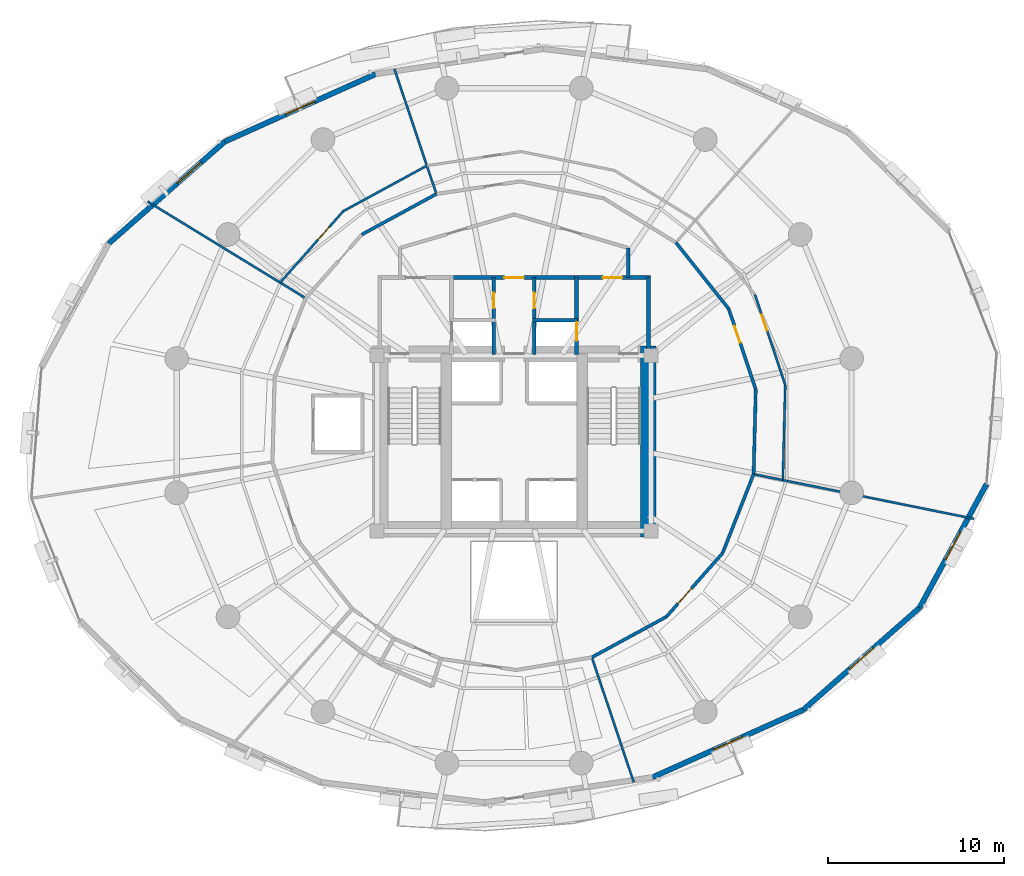
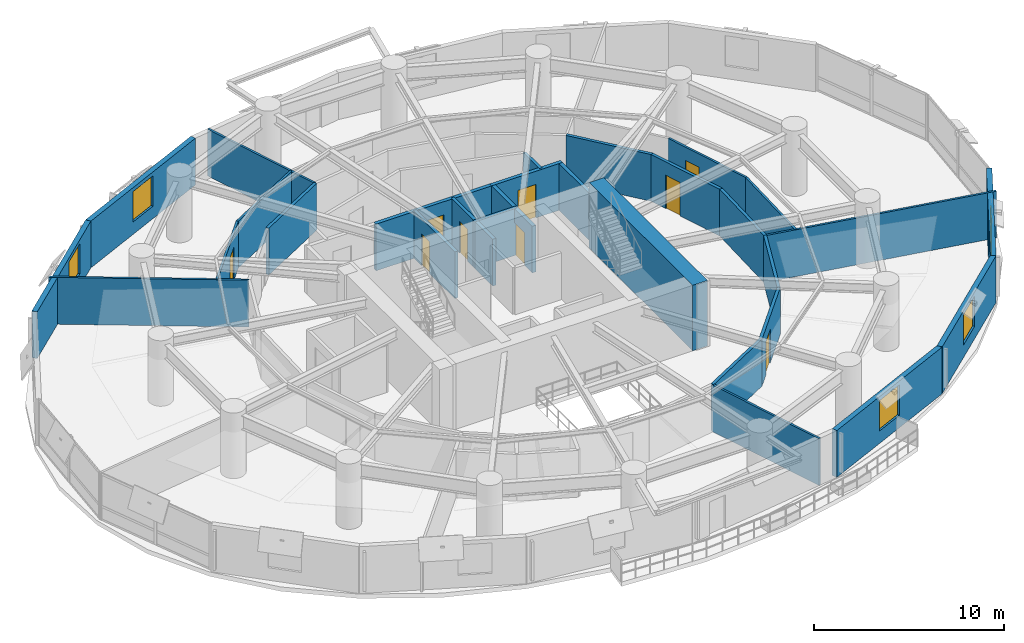
# One storey, part 13 of 17: 29 walls, 9 doors, 5 windows, 14 openings.
"""IFC4 building model written with IfcOpenShell, lengths in metres."""

from ifc_helpers import new_model, si_unit, direction, frame, frame_2d, origin, place, context, subcontext, project, spatial, rectangle, extrude, material, layer, layer_set, type_object, element, fill, save


model = new_model("IFC4")

# Units and contexts
model_context = context("Model", 3, precision=1e-05, world=origin(), true_north=direction((0.0, 1.0)))
body_context = subcontext(model_context, "Body", "Model", "MODEL_VIEW")
ifc_project = project(units=[si_unit("LENGTHUNIT", "METRE"), si_unit("AREAUNIT", "SQUARE_METRE"), si_unit("VOLUMEUNIT", "CUBIC_METRE"), si_unit("PLANEANGLEUNIT", "RADIAN"), si_unit("MASSUNIT", "GRAM", prefix="KILO"), si_unit("THERMODYNAMICTEMPERATUREUNIT", "KELVIN"), si_unit("POWERUNIT", "WATT")], contexts=[model_context])

# Site, building, storey
site_placement = place(None, origin())
site = spatial("IfcSite", under=ifc_project, at=site_placement, CompositionType="ELEMENT")
building_placement = place(site_placement, origin())
building = spatial("IfcBuilding", under=site, at=building_placement, Name="Ocrelia Relay Tower", CompositionType="ELEMENT")
storey_placement = place(building_placement, frame((0.0, 0.0, 67.800048828125)))
storey = spatial("IfcBuildingStorey", under=building, at=storey_placement, Name="L15", CompositionType="ELEMENT", Elevation=67.800048828125)

# Walls
ifc_material_1 = material(Name="Concrete C70/85", Category="concrete")
ifc_layer_1 = layer(ifc_material_1, 0.89990234375, Name="Concrete C70/85")
ifc_layer_set_1 = layer_set([ifc_layer_1], Name="Concrete C70/85")
wall_type_1 = type_object("IfcWallType", Name="CW-CORE-900", PredefinedType="SHEAR", material=ifc_layer_set_1)
wall_1_placement = place(storey_placement, frame((41.637939453125, 19.662109375, 0.0), z_axis=(0.0, 0.0, 1.0), x_axis=(0.0, 1.0, 0.0)))
element("IfcWall", 1, at=wall_1_placement, inside=storey, type_object=wall_type_1, Name="L15 Core Shear Wall E", PredefinedType="SHEAR", context=body_context, shape_type="SweptSolid", body=[
    extrude(rectangle(XDim=10.8759765625, YDim=0.89990234375, at=frame_2d((5.43798828125, 0.0))), origin(), (0.0, 0.0, 1.0), 4.199951171875),
])
ifc_material_2 = material(Name="Gypsum Fireboard Partition EI60", Category="gypsum")
ifc_layer_2 = layer(ifc_material_2, 0.179931640625, Name="Gypsum Fireboard Partition EI60")
ifc_layer_set_2 = layer_set([ifc_layer_2], Name="Gypsum Fireboard Partition EI60")
wall_type_2 = type_object("IfcWallType", Name="W-CORR-EI60-180", PredefinedType="PARTITIONING", material=ifc_layer_set_2)
wall_2_placement = place(storey_placement, frame((40.5, 36.122802734375, 0.0), z_axis=(0.0, 0.0, 1.0), x_axis=(0.0, -1.0, 0.0)))
element("IfcWall", 2, at=wall_2_placement, inside=storey, type_object=wall_type_2, Name="L15 Smoke Lobby East Return", PredefinedType="PARTITIONING", context=body_context, shape_type="SweptSolid", body=[
    extrude(rectangle(XDim=1.69287109375, YDim=0.179931640625, at=frame_2d((0.846435546875, 0.0))), origin(), (0.0, 0.0, 1.0), 3.0),
])
wall_3_placement = place(storey_placement, frame((38.428466796875, 12.80322265625, 0.0), z_axis=(0.0, 0.0, 1.0), x_axis=(0.878385338365, 0.477953133001, 0.0)))
element("IfcWall", 3, at=wall_3_placement, inside=storey, type_object=wall_type_2, Name="L15 Colocation Data Hall A Corridor Partition 1", PredefinedType="PARTITIONING", context=body_context, shape_type="SweptSolid", body=[
    extrude(rectangle(XDim=4.834228515625, YDim=0.179931640625, at=frame_2d((2.4169921875, 0.0))), origin(), (0.0, 0.0, 1.0), 3.0),
])

# Wall, opening, door
wall_4_placement = place(storey_placement, frame((42.6748046875, 15.11376953125, 0.0), z_axis=(0.0, 0.0, 1.0), x_axis=(0.661965641577, 0.74953418159, 0.0)))
wall_4 = element("IfcWall", 4, at=wall_4_placement, inside=storey, type_object=wall_type_2, Name="L15 Colocation Data Hall A Corridor Partition 2", PredefinedType="PARTITIONING", context=body_context, shape_type="SweptSolid", body=[
    extrude(rectangle(XDim=4.83447265625, YDim=0.179931640625, at=frame_2d((2.417236328125, 0.0))), origin(), (0.0, 0.0, 1.0), 3.0),
])
opening_1_placement = place(wall_4_placement, frame((0.99609375, 0.0, 0.0)))
opening_1 = element("IfcOpeningElement", 5, at=opening_1_placement, cuts=wall_4, Name="Opening D-RM115", PredefinedType="OPENING", context=body_context, shape_type="SweptSolid", body=[
    extrude(rectangle(XDim=1.14990234375, YDim=2.14990234375, at=frame_2d((0.574951171875, 1.074951171875))), frame((0.0, 0.10009765625, 0.0), z_axis=(0.0, -1.0, 0.0), x_axis=(1.0, 0.0, 0.0)), (0.0, 0.0, 1.0), 0.199951171875),
])
ifc_material_3 = material(Name="Wide acoustic oak veneer fire door", Category="wood")
door_type_1 = type_object("IfcDoorType", Name="DR-ROOM-1150", OperationType="NOTDEFINED", PredefinedType="DOOR", material=ifc_material_3)
door_1_placement = place(opening_1_placement, origin())
door_1 = element("IfcDoor", 6, at=door_1_placement, inside=storey, type_object=door_type_1, Name="L15 Colocation Data Hall A Entrance Door", OperationType="SINGLE_SWING_LEFT", OverallHeight=2.14990234375, OverallWidth=1.14990234375, PredefinedType="DOOR", context=body_context, shape_type="SweptSolid", body=[
    extrude(rectangle(XDim=1.14990234375, YDim=2.14990234375, at=frame_2d((0.574951171875, 1.074951171875))), frame((0.0, 0.02490234375, 0.0), z_axis=(0.0, -1.0, 0.0), x_axis=(1.0, 0.0, 0.0)), (0.0, 0.0, 1.0), 0.050048828125),
])
fill(opening_1, door_1)

# Walls
wall_5_placement = place(storey_placement, frame((45.875, 18.7373046875, 0.0), z_axis=(0.0, 0.0, 1.0), x_axis=(0.365724243793, 0.930723255056, 0.0)))
element("IfcWall", 7, at=wall_5_placement, inside=storey, type_object=wall_type_2, Name="L15 Colocation Data Hall A Corridor Partition 3", PredefinedType="PARTITIONING", context=body_context, shape_type="SweptSolid", body=[
    extrude(rectangle(XDim=4.83447265625, YDim=0.179931640625, at=frame_2d((2.417236328125, 0.0))), origin(), (0.0, 0.0, 1.0), 3.0),
])
wall_6_placement = place(storey_placement, frame((47.64306640625, 23.23681640625, 0.0), z_axis=(0.0, 0.0, 1.0), x_axis=(0.025301319276, 0.99967987038, 0.0)))
element("IfcWall", 8, at=wall_6_placement, inside=storey, type_object=wall_type_2, Name="L15 Hardware Testing Laboratory Corridor Partition 1", PredefinedType="PARTITIONING", context=body_context, shape_type="SweptSolid", body=[
    extrude(rectangle(XDim=4.834228515625, YDim=0.179931640625, at=frame_2d((2.4169921875, 0.0))), origin(), (0.0, 0.0, 1.0), 3.0),
])

# Wall, opening, door
wall_7_placement = place(storey_placement, frame((47.765380859375, 28.069580078125, 0.0), z_axis=(0.0, 0.0, 1.0), x_axis=(-0.31816640529, 0.948034882557, 0.0)))
wall_7 = element("IfcWall", 9, at=wall_7_placement, inside=storey, type_object=wall_type_2, Name="L15 Hardware Testing Laboratory Corridor Partition 2", PredefinedType="PARTITIONING", context=body_context, shape_type="SweptSolid", body=[
    extrude(rectangle(XDim=4.834228515625, YDim=0.179931640625, at=frame_2d((2.4169921875, 0.0))), origin(), (0.0, 0.0, 1.0), 3.0),
])
opening_2_placement = place(wall_7_placement, frame((2.80078125, 0.0, 0.0)))
opening_2 = element("IfcOpeningElement", 10, at=opening_2_placement, cuts=wall_7, Name="Opening D-RM100", PredefinedType="OPENING", context=body_context, shape_type="SweptSolid", body=[
    extrude(rectangle(XDim=1.0, YDim=2.14990234375, at=frame_2d((0.5, 1.074951171875))), frame((0.0, 0.10009765625, 0.0), z_axis=(0.0, -1.0, 0.0), x_axis=(1.0, 0.0, 0.0)), (0.0, 0.0, 1.0), 0.199951171875),
])
ifc_material_4 = material(Name="Acoustic oak veneer fire door", Category="wood")
door_type_2 = type_object("IfcDoorType", Name="DR-ROOM-FD60-1000", OperationType="NOTDEFINED", PredefinedType="DOOR", material=ifc_material_4)
door_2_placement = place(opening_2_placement, origin())
door_2 = element("IfcDoor", 11, at=door_2_placement, inside=storey, type_object=door_type_2, Name="L15 Hardware Testing Laboratory Entrance Door", OperationType="SINGLE_SWING_RIGHT", OverallHeight=2.14990234375, OverallWidth=1.0, PredefinedType="DOOR", context=body_context, shape_type="SweptSolid", body=[
    extrude(rectangle(XDim=1.0, YDim=2.14990234375, at=frame_2d((0.5, 1.074951171875))), frame((0.0, 0.02490234375, 0.0), z_axis=(0.0, -1.0, 0.0), x_axis=(1.0, 0.0, 0.0)), (0.0, 0.0, 1.0), 0.050048828125),
])
fill(opening_2, door_2)

# Walls
wall_8_placement = place(storey_placement, frame((46.227294921875, 32.652587890625, 0.0), z_axis=(0.0, 0.0, 1.0), x_axis=(-0.623166544039, 0.782089162685, 0.0)))
element("IfcWall", 12, at=wall_8_placement, inside=storey, type_object=wall_type_2, Name="L15 Hardware Testing Laboratory Corridor Partition 3", PredefinedType="PARTITIONING", context=body_context, shape_type="SweptSolid", body=[
    extrude(rectangle(XDim=4.83447265625, YDim=0.179931640625, at=frame_2d((2.417236328125, 0.0))), origin(), (0.0, 0.0, 1.0), 3.0),
])
wall_9_placement = place(storey_placement, frame((29.571533203125, 39.19677734375, 0.0), z_axis=(0.0, 0.0, 1.0), x_axis=(-0.878385338365, -0.477953133001, 0.0)))
element("IfcWall", 13, at=wall_9_placement, inside=storey, type_object=wall_type_2, Name="L15 Systems Office C Corridor Partition 1", PredefinedType="PARTITIONING", context=body_context, shape_type="SweptSolid", body=[
    extrude(rectangle(XDim=4.834228515625, YDim=0.179931640625, at=frame_2d((2.4169921875, 0.0))), origin(), (0.0, 0.0, 1.0), 3.0),
])

# Wall, opening, window
ifc_material_5 = material(Name="Precast concrete C40/50 with oxide terracotta", Category="masonry")
ifc_layer_3 = layer(ifc_material_5, 0.300048828125, Name="Precast concrete C40/50 with oxide terracotta")
ifc_layer_set_3 = layer_set([ifc_layer_3], Name="Precast concrete C40/50 with oxide terracotta")
wall_type_3 = type_object("IfcWallType", Name="W-EXT-TERR-300", PredefinedType="SOLIDWALL", material=ifc_layer_set_3)
wall_10_placement = place(storey_placement, frame((26.107666015625, 46.025634765625, 0.0), z_axis=(0.0, 0.0, 1.0), x_axis=(-0.912605050972, -0.408842293484, 0.0)))
wall_10 = element("IfcWall", 14, at=wall_10_placement, inside=storey, type_object=wall_type_3, Name="L15 Oxide Terracotta Facade Wall 06", PredefinedType="SOLIDWALL", context=body_context, shape_type="SweptSolid", body=[
    extrude(rectangle(XDim=9.4189453125, YDim=0.300048828125, at=frame_2d((4.70947265625, 0.0))), origin(), (0.0, 0.0, 1.0), 3.0),
])
opening_3_placement = place(wall_10_placement, frame((3.80908203125, 0.0, 0.800048828125)))
opening_3 = element("IfcOpeningElement", 15, at=opening_3_placement, cuts=wall_10, Name="Opening W-02", PredefinedType="OPENING", context=body_context, shape_type="SweptSolid", body=[
    extrude(rectangle(XDim=1.800048828125, YDim=1.949951171875, at=frame_2d((0.89990234375, 0.97509765625))), frame((0.0, 0.16015625, 0.0), z_axis=(0.0, -1.0, 0.0), x_axis=(1.0, 0.0, 0.0)), (0.0, 0.0, 1.0), 0.320068359375),
])
ifc_material_6 = material(Name="Clear double-glazed low-E glass", Category="glass")
window_type = type_object("IfcWindowType", Name="WIN-Z1-1800x2100", PartitioningType="DOUBLE_PANEL_VERTICAL", PredefinedType="WINDOW", material=ifc_material_6)
window_1_placement = place(opening_3_placement, origin())
window_1 = element("IfcWindow", 16, at=window_1_placement, inside=storey, type_object=window_type, Name="L15 Facade Module Window 06", OverallHeight=1.949951171875, OverallWidth=1.800048828125, PartitioningType="SINGLE_PANEL", PredefinedType="WINDOW", context=body_context, shape_type="SweptSolid", body=[
    extrude(rectangle(XDim=1.800048828125, YDim=1.949951171875, at=frame_2d((0.89990234375, 0.97509765625))), frame((0.0, 0.030029296875, 0.0), z_axis=(0.0, -1.0, 0.0), x_axis=(1.0, 0.0, 0.0)), (0.0, 0.0, 1.0), 0.06005859375),
])
fill(opening_3, window_1)

wall_11_placement = place(storey_placement, frame((17.511962890625, 42.1748046875, 0.0), z_axis=(0.0, 0.0, 1.0), x_axis=(-0.751409333496, -0.659836353603, 0.0)))
wall_11 = element("IfcWall", 17, at=wall_11_placement, inside=storey, type_object=wall_type_3, Name="L15 Oxide Terracotta Facade Wall 07", PredefinedType="SOLIDWALL", context=body_context, shape_type="SweptSolid", body=[
    extrude(rectangle(XDim=8.792724609375, YDim=0.300048828125, at=frame_2d((4.396484375, 0.0))), origin(), (0.0, 0.0, 1.0), 3.0),
])
opening_4_placement = place(wall_11_placement, frame((1.7900390625, 0.0, 0.800048828125)))
opening_4 = element("IfcOpeningElement", 18, at=opening_4_placement, cuts=wall_11, Name="Opening W-02", PredefinedType="OPENING", context=body_context, shape_type="SweptSolid", body=[
    extrude(rectangle(XDim=1.800048828125, YDim=1.949951171875, at=frame_2d((0.89990234375, 0.97509765625))), frame((0.0, 0.16015625, 0.0), z_axis=(0.0, -1.0, 0.0), x_axis=(1.0, 0.0, 0.0)), (0.0, 0.0, 1.0), 0.320068359375),
])
window_2_placement = place(opening_4_placement, origin())
window_2 = element("IfcWindow", 19, at=window_2_placement, inside=storey, type_object=window_type, Name="L15 Facade Module Window 07", OverallHeight=1.949951171875, OverallWidth=1.800048828125, PartitioningType="SINGLE_PANEL", PredefinedType="WINDOW", context=body_context, shape_type="SweptSolid", body=[
    extrude(rectangle(XDim=1.800048828125, YDim=1.949951171875, at=frame_2d((0.89990234375, 0.97509765625))), frame((0.0, 0.030029296875, 0.0), z_axis=(0.0, -1.0, 0.0), x_axis=(1.0, 0.0, 0.0)), (0.0, 0.0, 1.0), 0.06005859375),
])
fill(opening_4, window_2)

wall_12_placement = place(storey_placement, frame((41.892333984375, 5.974365234375, 0.0), z_axis=(0.0, 0.0, 1.0), x_axis=(0.912605050972, 0.408842293484, 0.0)))
wall_12 = element("IfcWall", 20, at=wall_12_placement, inside=storey, type_object=wall_type_3, Name="L15 Oxide Terracotta Facade Wall 15", PredefinedType="SOLIDWALL", context=body_context, shape_type="SweptSolid", body=[
    extrude(rectangle(XDim=9.4189453125, YDim=0.300048828125, at=frame_2d((4.70947265625, 0.0))), origin(), (0.0, 0.0, 1.0), 3.0),
])
opening_5_placement = place(wall_12_placement, frame((3.80908203125, 0.0, 0.800048828125)))
opening_5 = element("IfcOpeningElement", 21, at=opening_5_placement, cuts=wall_12, Name="Opening W-02", PredefinedType="OPENING", context=body_context, shape_type="SweptSolid", body=[
    extrude(rectangle(XDim=1.800048828125, YDim=1.949951171875, at=frame_2d((0.89990234375, 0.97509765625))), frame((0.0, 0.16015625, 0.0), z_axis=(0.0, -1.0, 0.0), x_axis=(1.0, 0.0, 0.0)), (0.0, 0.0, 1.0), 0.320068359375),
])
window_3_placement = place(opening_5_placement, origin())
window_3 = element("IfcWindow", 22, at=window_3_placement, inside=storey, type_object=window_type, Name="L15 Facade Module Window 15", OverallHeight=1.949951171875, OverallWidth=1.800048828125, PartitioningType="SINGLE_PANEL", PredefinedType="WINDOW", context=body_context, shape_type="SweptSolid", body=[
    extrude(rectangle(XDim=1.800048828125, YDim=1.949951171875, at=frame_2d((0.89990234375, 0.97509765625))), frame((0.0, 0.030029296875, 0.0), z_axis=(0.0, -1.0, 0.0), x_axis=(1.0, 0.0, 0.0)), (0.0, 0.0, 1.0), 0.06005859375),
])
fill(opening_5, window_3)

wall_13_placement = place(storey_placement, frame((50.488037109375, 9.8251953125, 0.0), z_axis=(0.0, 0.0, 1.0), x_axis=(0.751409333496, 0.659836353603, 0.0)))
wall_13 = element("IfcWall", 23, at=wall_13_placement, inside=storey, type_object=wall_type_3, Name="L15 Oxide Terracotta Facade Wall 16", PredefinedType="SOLIDWALL", context=body_context, shape_type="SweptSolid", body=[
    extrude(rectangle(XDim=8.792724609375, YDim=0.300048828125, at=frame_2d((4.396484375, 0.0))), origin(), (0.0, 0.0, 1.0), 3.0),
])
opening_6_placement = place(wall_13_placement, frame((3.49609375, 0.0, 0.800048828125)))
opening_6 = element("IfcOpeningElement", 24, at=opening_6_placement, cuts=wall_13, Name="Opening W-02", PredefinedType="OPENING", context=body_context, shape_type="SweptSolid", body=[
    extrude(rectangle(XDim=1.800048828125, YDim=1.949951171875, at=frame_2d((0.89990234375, 0.97509765625))), frame((0.0, 0.16015625, 0.0), z_axis=(0.0, -1.0, 0.0), x_axis=(1.0, 0.0, 0.0)), (0.0, 0.0, 1.0), 0.320068359375),
])
window_4_placement = place(opening_6_placement, origin())
window_4 = element("IfcWindow", 25, at=window_4_placement, inside=storey, type_object=window_type, Name="L15 Facade Module Window 16", OverallHeight=1.949951171875, OverallWidth=1.800048828125, PartitioningType="SINGLE_PANEL", PredefinedType="WINDOW", context=body_context, shape_type="SweptSolid", body=[
    extrude(rectangle(XDim=1.800048828125, YDim=1.949951171875, at=frame_2d((0.89990234375, 0.97509765625))), frame((0.0, 0.030029296875, 0.0), z_axis=(0.0, -1.0, 0.0), x_axis=(1.0, 0.0, 0.0)), (0.0, 0.0, 1.0), 0.06005859375),
])
fill(opening_6, window_4)

wall_14_placement = place(storey_placement, frame((57.094970703125, 15.626953125, 0.0), z_axis=(0.0, 0.0, 1.0), x_axis=(0.476385116332, 0.879236726336, 0.0)))
wall_14 = element("IfcWall", 26, at=wall_14_placement, inside=storey, type_object=wall_type_3, Name="L15 Oxide Terracotta Facade Wall 17", PredefinedType="SOLIDWALL", context=body_context, shape_type="SweptSolid", body=[
    extrude(rectangle(XDim=8.021484375, YDim=0.300048828125, at=frame_2d((4.0107421875, 0.0))), origin(), (0.0, 0.0, 1.0), 3.0),
])
opening_7_placement = place(wall_14_placement, frame((3.111083984375, 0.0, 0.800048828125)))
opening_7 = element("IfcOpeningElement", 27, at=opening_7_placement, cuts=wall_14, Name="Opening W-02", PredefinedType="OPENING", context=body_context, shape_type="SweptSolid", body=[
    extrude(rectangle(XDim=1.800048828125, YDim=1.949951171875, at=frame_2d((0.89990234375, 0.97509765625))), frame((0.0, 0.16015625, 0.0), z_axis=(0.0, -1.0, 0.0), x_axis=(1.0, 0.0, 0.0)), (0.0, 0.0, 1.0), 0.320068359375),
])
window_5_placement = place(opening_7_placement, origin())
window_5 = element("IfcWindow", 28, at=window_5_placement, inside=storey, type_object=window_type, Name="L15 Facade Module Window 17", OverallHeight=1.949951171875, OverallWidth=1.800048828125, PartitioningType="SINGLE_PANEL", PredefinedType="WINDOW", context=body_context, shape_type="SweptSolid", body=[
    extrude(rectangle(XDim=1.800048828125, YDim=1.949951171875, at=frame_2d((0.89990234375, 0.97509765625))), frame((0.0, 0.030029296875, 0.0), z_axis=(0.0, -1.0, 0.0), x_axis=(1.0, 0.0, 0.0)), (0.0, 0.0, 1.0), 0.06005859375),
])
fill(opening_7, window_5)

# Wall, opening, door
ifc_material_7 = material(Name="Concrete C50/60", Category="concrete")
ifc_layer_4 = layer(ifc_material_7, 0.219970703125, Name="Concrete C50/60")
ifc_layer_set_4 = layer_set([ifc_layer_4], Name="Concrete C50/60")
wall_type_4 = type_object("IfcWallType", Name="W-FFL-EI120-220", PredefinedType="SOLIDWALL", material=ifc_layer_set_4)
wall_15_placement = place(storey_placement, frame((37.56005859375, 30.050048828125, 0.0), z_axis=(0.0, 0.0, 1.0), x_axis=(0.0, 1.0, 0.0)))
wall_15 = element("IfcWall", 29, at=wall_15_placement, inside=storey, type_object=wall_type_4, Name="L15 E Fire Service Lift Lobby West Wall", PredefinedType="SOLIDWALL", context=body_context, shape_type="SweptSolid", body=[
    extrude(rectangle(XDim=4.3798828125, YDim=0.219970703125, at=frame_2d((2.18994140625, 0.0))), origin(), (0.0, 0.0, 1.0), 3.0),
])
opening_8_placement = place(wall_15_placement, frame((0.800048828125, 0.0, 0.0)))
opening_8 = element("IfcOpeningElement", 30, at=opening_8_placement, cuts=wall_15, Name="Opening LD-FFL2", PredefinedType="OPENING", context=body_context, shape_type="SweptSolid", body=[
    extrude(rectangle(XDim=1.050048828125, YDim=2.10009765625, at=frame_2d((0.52490234375, 1.050048828125))), frame((0.0, 0.1201171875, 0.0), z_axis=(0.0, -1.0, 0.0), x_axis=(1.0, 0.0, 0.0)), (0.0, 0.0, 1.0), 0.239990234375),
])
ifc_material_8 = material(Name="Brushed stainless steel S355 lift landing door", Category="steel")
door_type_3 = type_object("IfcDoorType", Name="DR-LIFT-LAND-1050", OperationType="DOUBLE_DOOR_SLIDING", PredefinedType="USERDEFINED", material=ifc_material_8)
door_3_placement = place(opening_8_placement, origin())
door_3 = element("IfcDoor", 31, at=door_3_placement, inside=storey, type_object=door_type_3, Name="L15 Firefighting Lift FFL2 Sliding Landing Door", ObjectType="LANDING DOOR", OperationType="DOUBLE_DOOR_SLIDING", OverallHeight=2.10009765625, OverallWidth=1.050048828125, PredefinedType="USERDEFINED", context=body_context, shape_type="SweptSolid", body=[
    extrude(rectangle(XDim=1.050048828125, YDim=2.10009765625, at=frame_2d((0.52490234375, 1.050048828125))), frame((0.0, 0.02490234375, 0.0), z_axis=(0.0, -1.0, 0.0), x_axis=(1.0, 0.0, 0.0)), (0.0, 0.0, 1.0), 0.050048828125),
])
fill(opening_8, door_3)

# Wall
wall_16_placement = place(storey_placement, frame((41.64990234375, 30.050048828125, 0.0), z_axis=(0.0, 0.0, 1.0), x_axis=(0.0, 1.0, 0.0)))
element("IfcWall", 32, at=wall_16_placement, inside=storey, type_object=wall_type_4, Name="L15 E Fire Service Lift Lobby East Wall", PredefinedType="SOLIDWALL", context=body_context, shape_type="SweptSolid", body=[
    extrude(rectangle(XDim=4.3798828125, YDim=0.219970703125, at=frame_2d((2.18994140625, 0.0))), origin(), (0.0, 0.0, 1.0), 3.0),
])

# Wall, opening, door
wall_17_placement = place(storey_placement, frame((37.449951171875, 34.429931640625, 0.0), z_axis=(0.0, 0.0, 1.0), x_axis=(1.0, 0.0, 0.0)))
wall_17 = element("IfcWall", 33, at=wall_17_placement, inside=storey, type_object=wall_type_4, Name="L15 E Fire Service Lift Lobby North Wall", PredefinedType="SOLIDWALL", context=body_context, shape_type="SweptSolid", body=[
    extrude(rectangle(XDim=4.31005859375, YDim=0.219970703125, at=frame_2d((2.155029296875, 0.0))), origin(), (0.0, 0.0, 1.0), 3.0),
])
opening_9_placement = place(wall_17_placement, frame((1.60009765625, 0.0, 0.0)))
opening_9 = element("IfcOpeningElement", 34, at=opening_9_placement, cuts=wall_17, Name="Opening D-FD60", PredefinedType="OPENING", context=body_context, shape_type="SweptSolid", body=[
    extrude(rectangle(XDim=1.10009765625, YDim=2.14990234375, at=frame_2d((0.550048828125, 1.074951171875))), frame((0.0, 0.1201171875, 0.0), z_axis=(0.0, -1.0, 0.0), x_axis=(1.0, 0.0, 0.0)), (0.0, 0.0, 1.0), 0.239990234375),
])
ifc_material_9 = material(Name="Timber-core 60-min acoustic fire door", Category="wood")
door_type_4 = type_object("IfcDoorType", Name="DR-LOBBY-FD60-1100", OperationType="NOTDEFINED", PredefinedType="DOOR", material=ifc_material_9)
door_4_placement = place(opening_9_placement, origin())
door_4 = element("IfcDoor", 35, at=door_4_placement, inside=storey, type_object=door_type_4, Name="L15 E Fire Service Lift Lobby Exit Door", OperationType="SINGLE_SWING_LEFT", OverallHeight=2.14990234375, OverallWidth=1.10009765625, PredefinedType="DOOR", context=body_context, shape_type="SweptSolid", body=[
    extrude(rectangle(XDim=1.10009765625, YDim=2.14990234375, at=frame_2d((0.550048828125, 1.074951171875))), frame((0.0, 0.02490234375, 0.0), z_axis=(0.0, -1.0, 0.0), x_axis=(1.0, 0.0, 0.0)), (0.0, 0.0, 1.0), 0.050048828125),
])
fill(opening_9, door_4)

wall_18_placement = place(storey_placement, frame((30.43994140625, 34.429931640625, 0.0), z_axis=(0.0, 0.0, 1.0), x_axis=(1.0, 0.0, 0.0)))
wall_18 = element("IfcWall", 36, at=wall_18_placement, inside=storey, type_object=wall_type_4, Name="L15 North Core Vestibule Wall", PredefinedType="SOLIDWALL", context=body_context, shape_type="SweptSolid", body=[
    extrude(rectangle(XDim=7.1201171875, YDim=0.219970703125, at=frame_2d((3.56005859375, 0.0))), origin(), (0.0, 0.0, 1.0), 3.0),
])
opening_10_placement = place(wall_18_placement, frame((3.010009765625, 0.0, 0.0)))
opening_10 = element("IfcOpeningElement", 37, at=opening_10_placement, cuts=wall_18, Name="Opening D-FD60", PredefinedType="OPENING", context=body_context, shape_type="SweptSolid", body=[
    extrude(rectangle(XDim=1.10009765625, YDim=2.14990234375, at=frame_2d((0.550048828125, 1.074951171875))), frame((0.0, 0.1201171875, 0.0), z_axis=(0.0, -1.0, 0.0), x_axis=(1.0, 0.0, 0.0)), (0.0, 0.0, 1.0), 0.239990234375),
])
door_5_placement = place(opening_10_placement, origin())
door_5 = element("IfcDoor", 38, at=door_5_placement, inside=storey, type_object=door_type_4, Name="L15 North Core Vestibule Corridor Door", OperationType="SINGLE_SWING_LEFT", OverallHeight=2.14990234375, OverallWidth=1.10009765625, PredefinedType="DOOR", context=body_context, shape_type="SweptSolid", body=[
    extrude(rectangle(XDim=1.10009765625, YDim=2.14990234375, at=frame_2d((0.550048828125, 1.074951171875))), frame((0.0, 0.02490234375, 0.0), z_axis=(0.0, -1.0, 0.0), x_axis=(1.0, 0.0, 0.0)), (0.0, 0.0, 1.0), 0.050048828125),
])
fill(opening_10, door_5)

# Walls
ifc_material_10 = material(Name="Acoustic Fireboard Partition EI60", Category="gypsum")
ifc_layer_5 = layer(ifc_material_10, 0.125, Name="Acoustic Fireboard Partition EI60")
ifc_layer_set_5 = layer_set([ifc_layer_5], Name="Acoustic Fireboard Partition EI60")
wall_type_5 = type_object("IfcWallType", Name="W-PART-125", PredefinedType="PARTITIONING", material=ifc_layer_set_5)
wall_19_placement = place(storey_placement, frame((38.428466796875, 12.80322265625, 0.0), z_axis=(0.0, 0.0, 1.0), x_axis=(0.318127905721, -0.948047802382, 0.0)))
element("IfcWall", 39, at=wall_19_placement, inside=storey, type_object=wall_type_5, Name="L15 Operations Control Office A Radial Partition", PredefinedType="PARTITIONING", context=body_context, shape_type="SweptSolid", body=[
    extrude(rectangle(XDim=7.513916015625, YDim=0.125, at=frame_2d((3.7568359375, 0.0))), origin(), (0.0, 0.0, 1.0), 3.0),
])
wall_20_placement = place(storey_placement, frame((47.64306640625, 23.23681640625, 0.0), z_axis=(0.0, 0.0, 1.0), x_axis=(0.980096567328, -0.19852133062, 0.0)))
element("IfcWall", 40, at=wall_20_placement, inside=storey, type_object=wall_type_5, Name="L15 Colocation Data Hall A Radial Partition", PredefinedType="PARTITIONING", context=body_context, shape_type="SweptSolid", body=[
    extrude(rectangle(XDim=12.80224609375, YDim=0.125, at=frame_2d((6.401123046875, 0.0))), origin(), (0.0, 0.0, 1.0), 3.0),
])
wall_21_placement = place(storey_placement, frame((49.30908203125, 22.899169921875, 0.0), z_axis=(0.0, 0.0, 1.0), x_axis=(0.025292405975, 0.999680095931, 0.0)))
element("IfcWall", 41, at=wall_21_placement, inside=storey, type_object=wall_type_5, Name="L15 Perimeter Hardware Testing Laboratory Mid-Ring Partition 1", PredefinedType="PARTITIONING", context=body_context, shape_type="SweptSolid", body=[
    extrude(rectangle(XDim=5.4248046875, YDim=0.125, at=frame_2d((2.71240234375, 0.0))), origin(), (0.0, 0.0, 1.0), 3.0),
])

# Wall, opening, door
wall_22_placement = place(storey_placement, frame((49.4462890625, 28.322265625, 0.0), z_axis=(0.0, 0.0, 1.0), x_axis=(-0.318103906264, 0.948055855327, 0.0)))
wall_22 = element("IfcWall", 42, at=wall_22_placement, inside=storey, type_object=wall_type_5, Name="L15 Perimeter Hardware Testing Laboratory Mid-Ring Partition 2", PredefinedType="PARTITIONING", context=body_context, shape_type="SweptSolid", body=[
    extrude(rectangle(XDim=5.424560546875, YDim=0.125, at=frame_2d((2.71240234375, 0.0))), origin(), (0.0, 0.0, 1.0), 3.0),
])
opening_11_placement = place(wall_22_placement, frame((3.26611328125, 0.0, 0.0)))
opening_11 = element("IfcOpeningElement", 43, at=opening_11_placement, cuts=wall_22, Name="Opening D-RM95", PredefinedType="OPENING", context=body_context, shape_type="SweptSolid", body=[
    extrude(rectangle(XDim=0.949951171875, YDim=2.14990234375, at=frame_2d((0.47509765625, 1.074951171875))), frame((0.0, 0.072509765625, 0.0), z_axis=(0.0, -1.0, 0.0), x_axis=(1.0, 0.0, 0.0)), (0.0, 0.0, 1.0), 0.14501953125),
])
door_type_5 = type_object("IfcDoorType", Name="DR-ROOM-950", OperationType="NOTDEFINED", PredefinedType="DOOR", material=ifc_material_4)
door_6_placement = place(opening_11_placement, origin())
door_6 = element("IfcDoor", 44, at=door_6_placement, inside=storey, type_object=door_type_5, Name="L15 Perimeter Hardware Testing Laboratory Connecting Door", OperationType="SINGLE_SWING_LEFT", OverallHeight=2.14990234375, OverallWidth=0.949951171875, PredefinedType="DOOR", context=body_context, shape_type="SweptSolid", body=[
    extrude(rectangle(XDim=0.949951171875, YDim=2.14990234375, at=frame_2d((0.47509765625, 1.074951171875))), frame((0.0, 0.02490234375, 0.0), z_axis=(0.0, -1.0, 0.0), x_axis=(1.0, 0.0, 0.0)), (0.0, 0.0, 1.0), 0.050048828125),
])
fill(opening_11, door_6)

# Walls
wall_23_placement = place(storey_placement, frame((29.571533203125, 39.19677734375, 0.0), z_axis=(0.0, 0.0, 1.0), x_axis=(-0.318127905721, 0.948047802382, 0.0)))
element("IfcWall", 45, at=wall_23_placement, inside=storey, type_object=wall_type_5, Name="L15 Telemetry Office B Radial Partition", PredefinedType="PARTITIONING", context=body_context, shape_type="SweptSolid", body=[
    extrude(rectangle(XDim=7.513916015625, YDim=0.125, at=frame_2d((3.7568359375, 0.0))), origin(), (0.0, 0.0, 1.0), 3.0),
])
wall_24_placement = place(storey_placement, frame((22.125, 33.2626953125, 0.0), z_axis=(0.0, 0.0, 1.0), x_axis=(-0.853088436917, 0.521766345023, 0.0)))
element("IfcWall", 46, at=wall_24_placement, inside=storey, type_object=wall_type_5, Name="L15 Systems Office C Radial Partition", PredefinedType="PARTITIONING", context=body_context, shape_type="SweptSolid", body=[
    extrude(rectangle(XDim=10.550537109375, YDim=0.125, at=frame_2d((5.275390625, 0.0))), origin(), (0.0, 0.0, 1.0), 3.0),
])
wall_25_placement = place(storey_placement, frame((29.03076171875, 40.80859375, 0.0), z_axis=(0.0, 0.0, 1.0), x_axis=(-0.878390435216, -0.477943765857, 0.0)))
element("IfcWall", 47, at=wall_25_placement, inside=storey, type_object=wall_type_5, Name="L15 Perimeter Systems Office C Mid-Ring Partition 1", PredefinedType="PARTITIONING", context=body_context, shape_type="SweptSolid", body=[
    extrude(rectangle(XDim=5.4248046875, YDim=0.125, at=frame_2d((2.71240234375, 0.0))), origin(), (0.0, 0.0, 1.0), 3.0),
])

# Wall, opening, door
wall_26_placement = place(storey_placement, frame((24.265625, 38.2158203125, 0.0), z_axis=(0.0, 0.0, 1.0), x_axis=(-0.661983266299, -0.749518615606, 0.0)))
wall_26 = element("IfcWall", 48, at=wall_26_placement, inside=storey, type_object=wall_type_5, Name="L15 Perimeter Systems Office C Mid-Ring Partition 2", PredefinedType="PARTITIONING", context=body_context, shape_type="SweptSolid", body=[
    extrude(rectangle(XDim=5.4248046875, YDim=0.125, at=frame_2d((2.71240234375, 0.0))), origin(), (0.0, 0.0, 1.0), 3.0),
])
opening_12_placement = place(wall_26_placement, frame((1.208740234375, 0.0, 0.0)))
opening_12 = element("IfcOpeningElement", 49, at=opening_12_placement, cuts=wall_26, Name="Opening D-RM95", PredefinedType="OPENING", context=body_context, shape_type="SweptSolid", body=[
    extrude(rectangle(XDim=0.949951171875, YDim=2.14990234375, at=frame_2d((0.47509765625, 1.074951171875))), frame((0.0, 0.072509765625, 0.0), z_axis=(0.0, -1.0, 0.0), x_axis=(1.0, 0.0, 0.0)), (0.0, 0.0, 1.0), 0.14501953125),
])
door_7_placement = place(opening_12_placement, origin())
door_7 = element("IfcDoor", 50, at=door_7_placement, inside=storey, type_object=door_type_5, Name="L15 Perimeter Systems Office C Connecting Door", OperationType="SINGLE_SWING_LEFT", OverallHeight=2.14990234375, OverallWidth=0.949951171875, PredefinedType="DOOR", context=body_context, shape_type="SweptSolid", body=[
    extrude(rectangle(XDim=0.949951171875, YDim=2.14990234375, at=frame_2d((0.47509765625, 1.074951171875))), frame((0.0, 0.02490234375, 0.0), z_axis=(0.0, -1.0, 0.0), x_axis=(1.0, 0.0, 0.0)), (0.0, 0.0, 1.0), 0.050048828125),
])
fill(opening_12, door_7)

ifc_layer_6 = layer(ifc_material_7, 0.199951171875, Name="Concrete C50/60")
ifc_layer_set_6 = layer_set([ifc_layer_6], Name="Concrete C50/60")
wall_type_6 = type_object("IfcWallType", Name="W-SHAFT-EI120-200", PredefinedType="SOLIDWALL", material=ifc_layer_set_6)
wall_27_placement = place(storey_placement, frame((32.85009765625, 30.050048828125, 0.0), z_axis=(0.0, 0.0, 1.0), x_axis=(0.0, 1.0, 0.0)))
wall_27 = element("IfcWall", 51, at=wall_27_placement, inside=storey, type_object=wall_type_6, Name="L15 FFL1 and Service Vestibule Wall", PredefinedType="SOLIDWALL", context=body_context, shape_type="SweptSolid", body=[
    extrude(rectangle(XDim=4.3798828125, YDim=0.199951171875, at=frame_2d((2.18994140625, 0.0))), origin(), (0.0, 0.0, 1.0), 3.0),
])
opening_13_placement = place(wall_27_placement, frame((2.64990234375, 0.0, 0.0)))
opening_13 = element("IfcOpeningElement", 52, at=opening_13_placement, cuts=wall_27, Name="Opening D-RS86", PredefinedType="OPENING", context=body_context, shape_type="SweptSolid", body=[
    extrude(rectangle(XDim=0.860107421875, YDim=2.050048828125, at=frame_2d((0.43017578125, 1.02490234375))), frame((0.0, 0.10986328125, 0.0), z_axis=(0.0, -1.0, 0.0), x_axis=(1.0, 0.0, 0.0)), (0.0, 0.0, 1.0), 0.219970703125),
])
ifc_material_11 = material(Name="Steel S355 riser access fire door", Category="steel")
door_type_6 = type_object("IfcDoorType", Name="DR-RISER-TRAP-860", OperationType="NOTDEFINED", PredefinedType="TRAPDOOR", material=ifc_material_11)
door_8_placement = place(opening_13_placement, origin())
door_8 = element("IfcDoor", 53, at=door_8_placement, inside=storey, type_object=door_type_6, Name="L15 Core Support Room W Door", OperationType="SINGLE_SWING_RIGHT", OverallHeight=2.050048828125, OverallWidth=0.860107421875, PredefinedType="TRAPDOOR", context=body_context, shape_type="SweptSolid", body=[
    extrude(rectangle(XDim=0.860107421875, YDim=2.050048828125, at=frame_2d((0.43017578125, 1.02490234375))), frame((0.0, 0.02490234375, 0.0), z_axis=(0.0, -1.0, 0.0), x_axis=(1.0, 0.0, 0.0)), (0.0, 0.0, 1.0), 0.050048828125),
])
fill(opening_13, door_8)

# Wall
wall_28_placement = place(storey_placement, frame((35.050048828125, 32.0, 0.0), z_axis=(0.0, 0.0, 1.0), x_axis=(1.0, 0.0, 0.0)))
element("IfcWall", 54, at=wall_28_placement, inside=storey, type_object=wall_type_6, Name="L15 FFL2 Hoistway North Wall", PredefinedType="SOLIDWALL", context=body_context, shape_type="SweptSolid", body=[
    extrude(rectangle(XDim=2.550048828125, YDim=0.199951171875, at=frame_2d((1.27490234375, 0.0))), origin(), (0.0, 0.0, 1.0), 3.0),
])

# Wall, opening, door
wall_29_placement = place(storey_placement, frame((35.14990234375, 30.050048828125, 0.0), z_axis=(0.0, 0.0, 1.0), x_axis=(0.0, 1.0, 0.0)))
wall_29 = element("IfcWall", 55, at=wall_29_placement, inside=storey, type_object=wall_type_6, Name="L15 FFL2 and Service Vestibule Wall", PredefinedType="SOLIDWALL", context=body_context, shape_type="SweptSolid", body=[
    extrude(rectangle(XDim=4.3798828125, YDim=0.199951171875, at=frame_2d((2.18994140625, 0.0))), origin(), (0.0, 0.0, 1.0), 3.0),
])
opening_14_placement = place(wall_29_placement, frame((2.64990234375, 0.0, 0.0)))
opening_14 = element("IfcOpeningElement", 56, at=opening_14_placement, cuts=wall_29, Name="Opening D-RS86", PredefinedType="OPENING", context=body_context, shape_type="SweptSolid", body=[
    extrude(rectangle(XDim=0.860107421875, YDim=2.050048828125, at=frame_2d((0.43017578125, 1.02490234375))), frame((0.0, 0.10986328125, 0.0), z_axis=(0.0, -1.0, 0.0), x_axis=(1.0, 0.0, 0.0)), (0.0, 0.0, 1.0), 0.219970703125),
])
door_9_placement = place(opening_14_placement, origin())
door_9 = element("IfcDoor", 57, at=door_9_placement, inside=storey, type_object=door_type_6, Name="L15 Core Support Room E Door", OperationType="SINGLE_SWING_RIGHT", OverallHeight=2.050048828125, OverallWidth=0.860107421875, PredefinedType="TRAPDOOR", context=body_context, shape_type="SweptSolid", body=[
    extrude(rectangle(XDim=0.860107421875, YDim=2.050048828125, at=frame_2d((0.43017578125, 1.02490234375))), frame((0.0, 0.02490234375, 0.0), z_axis=(0.0, -1.0, 0.0), x_axis=(1.0, 0.0, 0.0)), (0.0, 0.0, 1.0), 0.050048828125),
])
fill(opening_14, door_9)

save(model, "model.ifc")
